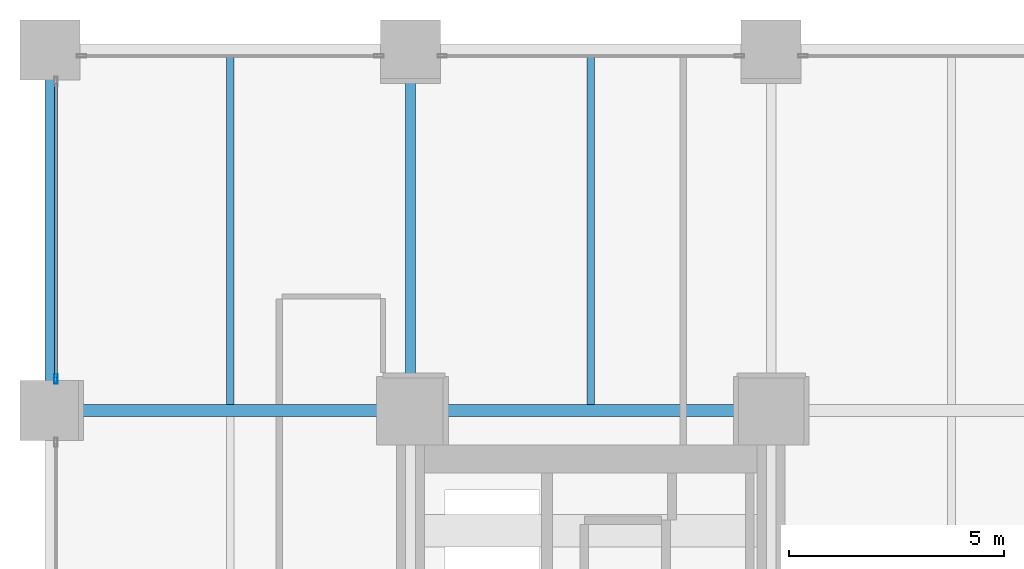
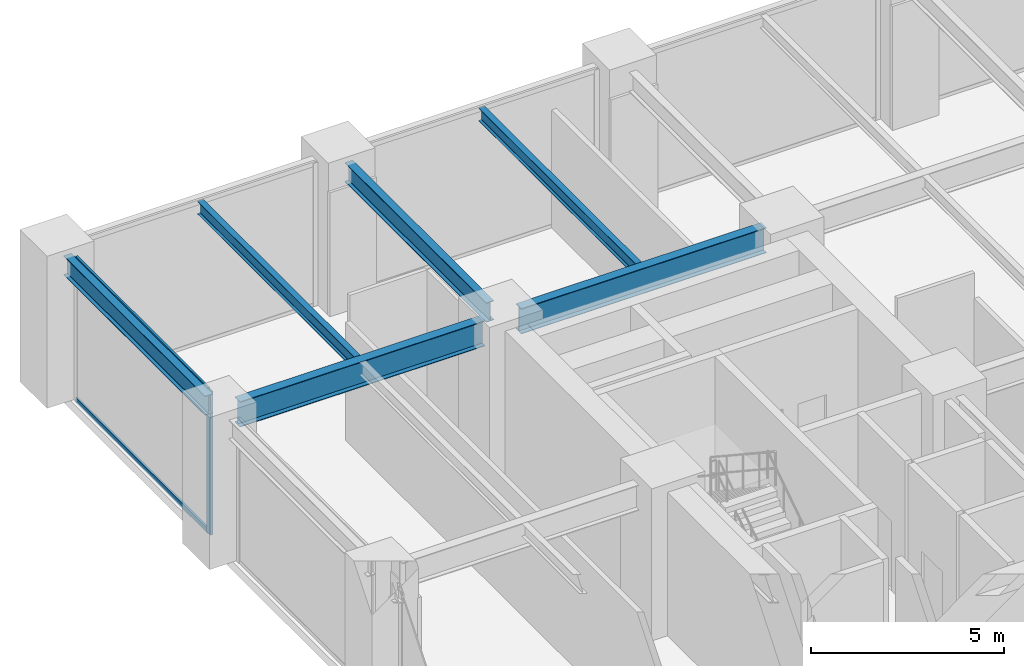
# One storey, part 10 of 24: 6 beams, 3 members, 1 element without a shape of its own.
"""IFC4 building model written with IfcOpenShell, lengths in metres."""

from ifc_helpers import new_model, si_unit, direction, frame, origin, origin_2d, place, context, subcontext, project, spatial, hollow_rectangle, i_section, extrude, material, layer, layer_set, material_profile, profile_set, type_object, element, aggregate, save


model = new_model("IFC4")

# Units and contexts
model_context = context("Model", 3, precision=1e-05, world=origin(), true_north=direction((0.0, 1.0)))
body_context = subcontext(model_context, "Body", "Model", "MODEL_VIEW")
ifc_project = project(units=[si_unit("LENGTHUNIT", "METRE"), si_unit("AREAUNIT", "SQUARE_METRE"), si_unit("VOLUMEUNIT", "CUBIC_METRE"), si_unit("PLANEANGLEUNIT", "RADIAN"), si_unit("MASSUNIT", "GRAM", prefix="KILO")], contexts=[model_context])

# Site, building, storey
site_placement = place(None, origin())
site = spatial("IfcSite", under=ifc_project, at=site_placement, CompositionType="ELEMENT")
building_placement = place(site_placement, origin())
building = spatial("IfcBuilding", under=site, at=building_placement, Name="Nerrivon Quay Data Exchange", CompositionType="ELEMENT")
storey_placement = place(building_placement, frame((0.0, 0.0, 10.199951171875)))
storey = spatial("IfcBuildingStorey", under=building, at=storey_placement, Name="L02", CompositionType="ELEMENT", Elevation=10.199951171875)

# Beams
ifc_material_1 = material(Name="Steel Grade 350", Category="steel")
ifc_material_profile_1 = material_profile(ifc_material_1, i_section(OverallWidth=0.22900390625, OverallDepth=0.612060546875, WebThickness=0.011962890625, FlangeThickness=0.01953125, FilletRadius=0.013916015625, at=origin_2d()), Name="610UB125")
ifc_profile_set_1 = profile_set([ifc_material_profile_1], Name="Steel Grade 350")
beam_type_1 = type_object("IfcBeamType", Name="BM-G1-610UB125", PredefinedType="BEAM", material=ifc_profile_set_1)
for number, where, z_axis, x_axis, name in (
    (1, (0.0, 42.5400390625, 4.218994140625), (0.0, 1.0, 0.0), (-1.0, 0.0, 0.0), "L02 NS Girder X=0.0 (42.0..50.4)"),
    (2, (8.39990234375, 42.5400390625, 4.218994140625), (0.0, 1.0, 0.0), (-1.0, 0.0, 0.0), "L02 NS Girder X=8.4 (42.0..50.4)"),
):
    element("IfcBeam", number, at=place(storey_placement, frame(where, z_axis=z_axis, x_axis=x_axis)), inside=storey, type_object=beam_type_1, Name=name, PredefinedType="BEAM", context=body_context, shape_type="SweptSolid", body=[
        extrude(i_section(OverallWidth=0.22900390625, OverallDepth=0.612060546875, WebThickness=0.011962890625, FlangeThickness=0.01953125, FilletRadius=0.013916015625, at=origin_2d()), origin(), (0.0, 0.0, 1.0), 7.320068359375),
    ])
ifc_material_profile_2 = material_profile(ifc_material_1, i_section(OverallWidth=0.27490234375, OverallDepth=0.800048828125, WebThickness=0.010009765625, FlangeThickness=0.02001953125, at=origin_2d()), Name="800WB146")
ifc_profile_set_2 = profile_set([ifc_material_profile_2], Name="Steel Grade 350")
beam_type_2 = type_object("IfcBeamType", Name="BM-G8-800WB146", PredefinedType="BEAM", material=ifc_profile_set_2)
for number, where, z_axis, x_axis, name in (
    (3, (0.5400390625, 42.0, 4.125), (1.0, 0.0, 0.0), (0.0, 1.0, 0.0), "L02 EW Girder Y=42.0 (0.0..8.4)"),
    (4, (8.93994140625, 42.0, 4.125), (1.0, 0.0, 0.0), (0.0, 1.0, 0.0), "L02 EW Girder Y=42.0 (8.4..16.8)"),
):
    element("IfcBeam", number, at=place(storey_placement, frame(where, z_axis=z_axis, x_axis=x_axis)), inside=storey, type_object=beam_type_2, Name=name, PredefinedType="BEAM", context=body_context, shape_type="SweptSolid", body=[
        extrude(i_section(OverallWidth=0.27490234375, OverallDepth=0.800048828125, WebThickness=0.010009765625, FlangeThickness=0.02001953125, at=origin_2d()), origin(), (0.0, 0.0, 1.0), 7.320068359375),
    ])
ifc_material_profile_3 = material_profile(ifc_material_1, i_section(OverallWidth=0.177978515625, OverallDepth=0.403076171875, WebThickness=0.007568359375, FlangeThickness=0.010986328125, FilletRadius=0.011474609375, at=origin_2d()), Name="410UB53.7")
ifc_profile_set_3 = profile_set([ifc_material_profile_3], Name="Steel Grade 350")
beam_type_3 = type_object("IfcBeamType", Name="BM-J2-410UB54", PredefinedType="JOIST", material=ifc_profile_set_3)
for number, where, z_axis, x_axis, name in (
    (5, (4.199951171875, 42.137451171875, 4.323486328125), (0.0, 1.0, 0.0), (-1.0, 0.0, 0.0), "L02 Secondary Joist X=4.2 (42.0..50.4)"),
    (6, (12.60009765625, 42.137451171875, 4.323486328125), (0.0, 1.0, 0.0), (-1.0, 0.0, 0.0), "L02 Secondary Joist X=12.6 (42.0..50.4)"),
):
    element("IfcBeam", number, at=place(storey_placement, frame(where, z_axis=z_axis, x_axis=x_axis)), inside=storey, type_object=beam_type_3, Name=name, PredefinedType="JOIST", context=body_context, shape_type="SweptSolid", body=[
        extrude(i_section(OverallWidth=0.177978515625, OverallDepth=0.403076171875, WebThickness=0.007568359375, FlangeThickness=0.010986328125, FilletRadius=0.011474609375, at=origin_2d()), origin(), (0.0, 0.0, 1.0), 8.125),
    ])

# Curtain wall, members
ifc_material_2 = material(Name="Anodised aluminium 6063-T6", Category="aluminium")
ifc_layer = layer(ifc_material_2, 0.239990234375)
ifc_layer_set = layer_set([ifc_layer], Name="Anodised aluminium 6063-T6")
curtain_wall_type = type_object("IfcCurtainWallType", Name="CW-SYS-03", PredefinedType="NOTDEFINED", material=ifc_layer_set)
curtain_wall_placement = place(storey_placement, origin())
curtain_wall = element("IfcCurtainWall", 7, at=curtain_wall_placement, inside=storey, type_object=curtain_wall_type, Name="L02 Unitised Curtain Wall 6", PredefinedType="NOTDEFINED")
ifc_material_profile_4 = material_profile(ifc_material_2, hollow_rectangle(XDim=0.074951171875, YDim=0.219970703125, WallThickness=0.00390625, at=origin_2d()), Name="ALU-MULL-220x75")
ifc_profile_set_4 = profile_set([ifc_material_profile_4], Name="Anodised aluminium 6063-T6")
member_type_1 = type_object("IfcMemberType", Name="CWM-220x75", PredefinedType="MULLION", material=ifc_profile_set_4)
member_1_placement = place(storey_placement, frame((0.139892578125, 42.737548828125, 0.0), z_axis=(0.0, 0.0, 1.0), x_axis=(-1.0, 0.0, 0.0)))
member_1 = element("IfcMember", 8, at=member_1_placement, type_object=member_type_1, Name="CW03 mullion 1", PredefinedType="MULLION", context=body_context, shape_type="SweptSolid", body=[
    extrude(hollow_rectangle(XDim=0.074951171875, YDim=0.219970703125, WallThickness=0.00390625, at=origin_2d()), origin(), (0.0, 0.0, 1.0), 4.525146484375),
])
ifc_material_profile_5 = material_profile(ifc_material_2, hollow_rectangle(XDim=0.06494140625, YDim=0.14990234375, WallThickness=0.00341796875, at=origin_2d()), Name="ALU-TRAN-150x65")
ifc_profile_set_5 = profile_set([ifc_material_profile_5], Name="Anodised aluminium 6063-T6")
member_type_2 = type_object("IfcMemberType", Name="CWT-150x65", PredefinedType="USERDEFINED", material=ifc_profile_set_5)
member_2_placement = place(storey_placement, frame((0.139892578125, 42.77490234375, 0.032470703125), z_axis=(0.0, 1.0, 0.0), x_axis=(-1.0, 0.0, 0.0)))
member_2 = element("IfcMember", 9, at=member_2_placement, type_object=member_type_2, Name="CW03 transom 1.1", ObjectType="TRANSOM", PredefinedType="USERDEFINED", context=body_context, shape_type="SweptSolid", body=[
    extrude(hollow_rectangle(XDim=0.06494140625, YDim=0.14990234375, WallThickness=0.00341796875, at=origin_2d()), origin(), (0.0, 0.0, 1.0), 6.85009765625),
])
member_3_placement = place(storey_placement, frame((0.139892578125, 42.77490234375, 4.492431640625), z_axis=(0.0, 1.0, 0.0), x_axis=(-1.0, 0.0, 0.0)))
member_3 = element("IfcMember", 10, at=member_3_placement, type_object=member_type_2, Name="CW03 transom 1.2", ObjectType="TRANSOM", PredefinedType="USERDEFINED", context=body_context, shape_type="SweptSolid", body=[
    extrude(hollow_rectangle(XDim=0.06494140625, YDim=0.14990234375, WallThickness=0.00341796875, at=origin_2d()), origin(), (0.0, 0.0, 1.0), 6.85009765625),
])
aggregate(curtain_wall, [member_1, member_2, member_3])

save(model, "model.ifc")
